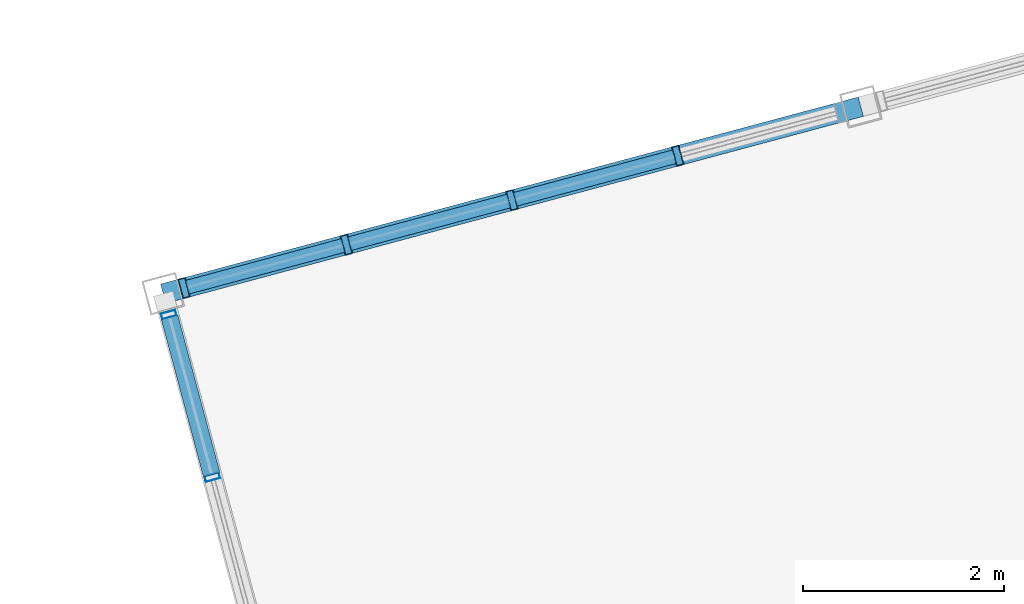
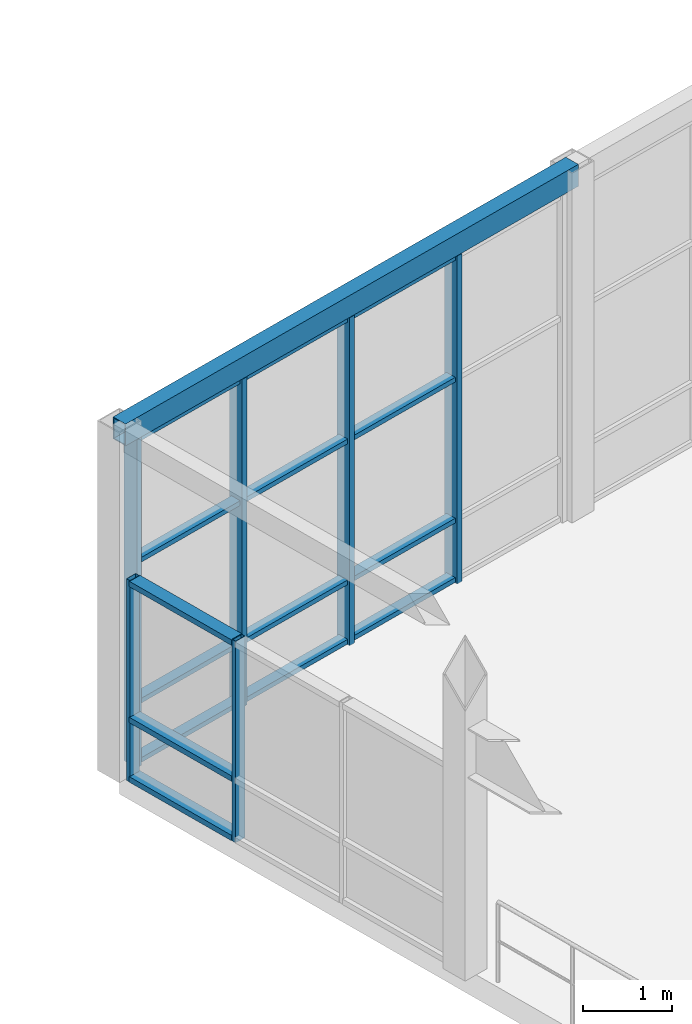
# One storey, part 35 of 99: 21 members, 1 beam, 2 elements without a shape of their own.
"""IFC4 building model written with IfcOpenShell, lengths in metres."""

import ifcopenshell
import ifcopenshell.guid

model = None  # the IFC model being written
_history = None  # IfcOwnerHistory: only IFC2X3 demands one
_inside = {}  # id of a spatial element -> (the spatial element, [elements in it])
_under = {}  # id of a project, library or spatial element -> (it, [spatial elements below it])
_declared = {}  # id of a project -> (the project, [libraries it declares])
_typed = {}  # id of a type object -> (the type object, [elements of that type])
_made_of = {}  # id of a material, layer set ... -> (it, [elements and type objects made of it])


def new_model(schema):
    """Start an empty IFC model of exactly this schema.

    Asked for "IFC4X3", IfcOpenShell would pick the latest addendum, in which some entities
    have other attributes; the version numbers below select the first issue.
    IFC2X3 requires an IfcOwnerHistory on every rooted entity: one is made here for all.
    """
    global model, _history
    if schema == "IFC4X3":
        model = ifcopenshell.file(schema_version=(4, 3, 0, 0))
    else:
        model = ifcopenshell.file(schema=schema)
    _inside.clear()
    _under.clear()
    _declared.clear()
    _typed.clear()
    _made_of.clear()
    _history = None
    if model.schema == "IFC2X3":
        org = make("IfcOrganization", Name="unknown")
        user = make(
            "IfcPersonAndOrganization",
            ThePerson=make("IfcPerson", FamilyName="unknown"),
            TheOrganization=org,
        )
        app = make(
            "IfcApplication",
            ApplicationDeveloper=org,
            Version="unknown",
            ApplicationFullName="unknown",
            ApplicationIdentifier="unknown",
        )
        _history = make(
            "IfcOwnerHistory",
            OwningUser=user,
            OwningApplication=app,
            ChangeAction="ADDED",
            CreationDate=0,
        )
    return model


def make(cls, **values):
    """One entity of the class cls with the attributes given. An attribute that is None is left unset."""
    return model.create_entity(
        cls, **{name: value for name, value in values.items() if value is not None}
    )


def rooted(cls, **values):
    """An entity with a GlobalId (a new one), such as an element, a storey or a relation."""
    return make(cls, GlobalId=ifcopenshell.guid.new(), OwnerHistory=_history, **values)


def si_unit(unit_type, name, prefix=None):
    """IfcSIUnit, for example si_unit("LENGTHUNIT", "METRE", prefix="MILLI")."""
    return make("IfcSIUnit", UnitType=unit_type, Prefix=prefix, Name=name)


def assignment(units):
    """IfcUnitAssignment: the units of a project."""
    return None if units is None else make("IfcUnitAssignment", Units=units)


def point(xyz):
    """IfcCartesianPoint."""
    return None if xyz is None else make("IfcCartesianPoint", Coordinates=xyz)


def direction(xyz):
    """IfcDirection."""
    return None if xyz is None else make("IfcDirection", DirectionRatios=xyz)


def frame(location, z_axis=None, x_axis=None):
    """IfcAxis2Placement3D, a coordinate frame: its origin and axes. An axis left out is left unset."""
    return make(
        "IfcAxis2Placement3D",
        Location=point(location),
        Axis=direction(z_axis),
        RefDirection=direction(x_axis),
    )


def frame_2d(location, x_axis=None):
    """IfcAxis2Placement2D, a coordinate frame in the plane: its origin and x axis."""
    return make(
        "IfcAxis2Placement2D", Location=point(location), RefDirection=direction(x_axis)
    )


def origin():
    """The frame at (0, 0, 0) with its axes left unset."""
    return frame((0.0, 0.0, 0.0))


def origin_2d():
    """The frame at (0, 0) in the plane with its x axis left unset."""
    return frame_2d((0.0, 0.0))


def place(relative_to, where):
    """IfcLocalPlacement: puts the frame where relative to a parent placement (None: the world)."""
    return make(
        "IfcLocalPlacement", PlacementRelTo=relative_to, RelativePlacement=where
    )


def context(
    kind, dimensions, precision=None, world=None, true_north=None, identifier=None
):
    """IfcGeometricRepresentationContext, for example the 3D "Model" context."""
    return make(
        "IfcGeometricRepresentationContext",
        ContextIdentifier=identifier,
        ContextType=kind,
        CoordinateSpaceDimension=dimensions,
        Precision=precision,
        WorldCoordinateSystem=world,
        TrueNorth=true_north,
    )


def subcontext(parent, identifier, kind, view, scale=None):
    """IfcGeometricRepresentationSubContext, for example "Body" below "Model"."""
    return make(
        "IfcGeometricRepresentationSubContext",
        ContextIdentifier=identifier,
        ContextType=kind,
        ParentContext=parent,
        TargetScale=scale,
        TargetView=view,
    )


def project(units=None, contexts=None):
    """IfcProject with its units and contexts."""
    return rooted(
        "IfcProject",
        Name="project",
        RepresentationContexts=contexts,
        UnitsInContext=assignment(units),
    )


def spatial(cls, under=None, at=None, **own):
    """A site, building, storey or space (cls), placed at a placement, below another one or the project."""
    s = rooted(cls, ObjectPlacement=at, **own)
    if under is not None:
        _under.setdefault(under.id(), (under, []))[1].append(s)
    return s


def profile(cls, at=None, kind="AREA", **sizes):
    """A parametric profile (cls). Its sizes go by their IFC names, for example OverallWidth=200.0."""
    return make(cls, ProfileType=kind, Position=at, **sizes)


def hollow_rectangle(**sizes):
    """IfcRectangleHollowProfileDef."""
    return profile("IfcRectangleHollowProfileDef", **sizes)


def extrude(swept, where, along, depth):
    """IfcExtrudedAreaSolid: the profile swept, set in the frame where, extruded along a direction by depth."""
    return make(
        "IfcExtrudedAreaSolid",
        SweptArea=swept,
        Position=where,
        ExtrudedDirection=direction(along),
        Depth=depth,
    )


def shape(context_of_items, identifier, shape_type, items):
    """IfcShapeRepresentation: the items that make up one representation, for example the "Body"."""
    return make(
        "IfcShapeRepresentation",
        ContextOfItems=context_of_items,
        RepresentationIdentifier=identifier,
        RepresentationType=shape_type,
        Items=items,
    )


def material(Name=None, Category=None):
    """IfcMaterial."""
    return make("IfcMaterial", Name=Name, Category=Category)


def layer(
    of_material, thickness, ventilated=None, Name=None, Category=None, Priority=None
):
    """IfcMaterialLayer: one layer of a wall or slab, of a material (None: an air gap)."""
    return make(
        "IfcMaterialLayer",
        Material=of_material,
        LayerThickness=thickness,
        IsVentilated=ventilated,
        Name=Name,
        Category=Category,
        Priority=Priority,
    )


def layer_set(layers, Name=None):
    """IfcMaterialLayerSet."""
    return make("IfcMaterialLayerSet", MaterialLayers=layers, LayerSetName=Name)


def material_profile(
    of_material, cross_section, Name=None, Category=None, Priority=None
):
    """IfcMaterialProfile: a cross section and its material."""
    return make(
        "IfcMaterialProfile",
        Name=Name,
        Material=of_material,
        Profile=cross_section,
        Priority=Priority,
        Category=Category,
    )


def profile_set(profiles, Name=None, composite=None):
    """IfcMaterialProfileSet."""
    return make(
        "IfcMaterialProfileSet",
        Name=Name,
        MaterialProfiles=profiles,
        CompositeProfile=composite,
    )


def made_of(thing, what):
    """Note that an element or type object is made of a material, layer set ...; save() writes the relation."""
    if what is not None:
        _made_of.setdefault(what.id(), (what, []))[1].append(thing)
    return thing


def type_object(cls, material=None, **own):
    """A type object (cls), such as IfcWallType, which elements share."""
    return made_of(rooted(cls, **own), material)


def element(
    cls,
    number,
    at=None,
    inside=None,
    cuts=None,
    type_object=None,
    material=None,
    context=None,
    identifier="Body",
    shape_type=None,
    held_by="IfcProductDefinitionShape",
    body=None,
    shapes=None,
    **own,
):
    """One element of the class cls, such as IfcWall. Its Tag is "e" and its number.

    at: its placement. inside: the storey or other place that contains it. cuts: it is an
    opening in that element (IfcRelVoidsElement). A single representation is given by context,
    identifier, shape_type and body (its items); several are given by shapes. held_by: the class
    of the entity that holds the representations. save() writes the other relations.
    """
    e = rooted(cls, Tag="e%d" % number, ObjectPlacement=at, **own)
    if body is not None:
        shapes = [shape(context, identifier, shape_type, body)]
    if shapes is not None:
        e.Representation = make(held_by, Representations=shapes)
    if inside is not None:
        _inside.setdefault(inside.id(), (inside, []))[1].append(e)
    if cuts is not None:
        rooted(
            "IfcRelVoidsElement", RelatingBuildingElement=cuts, RelatedOpeningElement=e
        )
    if type_object is not None:
        _typed.setdefault(type_object.id(), (type_object, []))[1].append(e)
    return made_of(e, material)


def aggregate(whole, parts):
    """IfcRelAggregates: a whole, such as a stair, and the parts it consists of."""
    return rooted("IfcRelAggregates", RelatingObject=whole, RelatedObjects=parts)


def save(model, path):
    """Write the relations noted so far, then the file.

    IfcRelAggregates (storeys below a building ...), IfcRelContainedInSpatialStructure (elements
    in a storey), IfcRelDefinesByType, IfcRelAssociatesMaterial and IfcRelDeclares: one each for
    every whole, place, type object, material and project.
    """
    for whole, parts in _under.values():
        aggregate(whole, parts)
    for where, things in _inside.values():
        rooted(
            "IfcRelContainedInSpatialStructure",
            RelatedElements=things,
            RelatingStructure=where,
        )
    for kind, things in _typed.values():
        rooted("IfcRelDefinesByType", RelatedObjects=things, RelatingType=kind)
    for what, things in _made_of.values():
        rooted("IfcRelAssociatesMaterial", RelatedObjects=things, RelatingMaterial=what)
    for by, libraries in _declared.values():
        rooted("IfcRelDeclares", RelatingContext=by, RelatedDefinitions=libraries)
    model.write(path)


model = new_model("IFC4")

# Units and contexts
model_context = context("Model", 3, precision=1e-05, world=origin(), true_north=direction((0.0, 1.0)))
body_context = subcontext(model_context, "Body", "Model", "MODEL_VIEW")
ifc_project = project(units=[si_unit("LENGTHUNIT", "METRE"), si_unit("AREAUNIT", "SQUARE_METRE"), si_unit("VOLUMEUNIT", "CUBIC_METRE"), si_unit("PLANEANGLEUNIT", "RADIAN"), si_unit("MASSUNIT", "GRAM", prefix="KILO")], contexts=[model_context])

# Site, building, storey
site_placement = place(None, origin())
site = spatial("IfcSite", under=ifc_project, at=site_placement, CompositionType="ELEMENT")
building_placement = place(site_placement, origin())
building = spatial("IfcBuilding", under=site, at=building_placement, Name="Ventoquebrada Cableway Terminal", CompositionType="ELEMENT")
storey_placement = place(building_placement, frame((0.0, 0.0, 9.60009765625)))
storey = spatial("IfcBuildingStorey", under=building, at=storey_placement, Name="L02", CompositionType="ELEMENT", Elevation=9.60009765625)

# Curtain wall, members
ifc_material_1 = material(Name="Anodized thermally-broken aluminium", Category="aluminium")
ifc_layer_1 = layer(ifc_material_1, 0.159912109375)
ifc_layer_set_1 = layer_set([ifc_layer_1], Name="Anodized thermally-broken aluminium")
curtain_wall_type_1 = type_object("IfcCurtainWallType", Name="CW-T40", PredefinedType="USERDEFINED", material=ifc_layer_set_1)
curtain_wall_1_placement = place(storey_placement, origin())
curtain_wall_1 = element("IfcCurtainWall", 1, at=curtain_wall_1_placement, inside=storey, type_object=curtain_wall_type_1, Name="Unitised glazed curtain wall CW-106", ObjectType="UNITISED CURTAIN WALL", PredefinedType="USERDEFINED")
ifc_material_profile_1 = material_profile(ifc_material_1, hollow_rectangle(XDim=0.074951171875, YDim=0.199951171875, WallThickness=0.00439453125, at=origin_2d()), Name="CW-MUL-75X200")
ifc_profile_set_1 = profile_set([ifc_material_profile_1], Name="Anodized thermally-broken aluminium")
member_type_1 = type_object("IfcMemberType", Name="CWM-02", PredefinedType="MULLION", material=ifc_profile_set_1)
member_1_placement = place(storey_placement, frame((50.3779296875, 96.27294921875, -0.008056640625), z_axis=(0.0, 0.0, 1.0), x_axis=(-0.965930343386, -0.258802186477, 0.0)))
member_1 = element("IfcMember", 2, at=member_1_placement, type_object=member_type_1, Name="Curtain wall mullion FML-0516", PredefinedType="MULLION", context=body_context, shape_type="SweptSolid", body=[
    extrude(hollow_rectangle(XDim=0.074951171875, YDim=0.199951171875, WallThickness=0.00439453125, at=origin_2d()), origin(), (0.0, 0.0, 1.0), 4.5029296875),
])
member_2_placement = place(storey_placement, frame((48.72607421875, 95.830078125, -0.008056640625), z_axis=(0.0, 0.0, 1.0), x_axis=(-0.965930343386, -0.258802186477, 0.0)))
member_2 = element("IfcMember", 3, at=member_2_placement, type_object=member_type_1, Name="Curtain wall mullion FML-0517", PredefinedType="MULLION", context=body_context, shape_type="SweptSolid", body=[
    extrude(hollow_rectangle(XDim=0.074951171875, YDim=0.199951171875, WallThickness=0.00439453125, at=origin_2d()), origin(), (0.0, 0.0, 1.0), 4.5029296875),
])
member_3_placement = place(storey_placement, frame((47.074951171875, 95.386962890625, -0.008056640625), z_axis=(0.0, 0.0, 1.0), x_axis=(-0.965930343386, -0.258802186477, 0.0)))
member_3 = element("IfcMember", 4, at=member_3_placement, type_object=member_type_1, Name="Curtain wall mullion FML-0518", PredefinedType="MULLION", context=body_context, shape_type="SweptSolid", body=[
    extrude(hollow_rectangle(XDim=0.074951171875, YDim=0.199951171875, WallThickness=0.00439453125, at=origin_2d()), origin(), (0.0, 0.0, 1.0), 4.5029296875),
])
member_4_placement = place(storey_placement, frame((45.45703125, 94.9541015625, -0.008056640625), z_axis=(0.0, 0.0, 1.0), x_axis=(-0.965930343386, -0.258802186477, 0.0)))
member_4 = element("IfcMember", 5, at=member_4_placement, type_object=member_type_1, Name="Curtain wall mullion FML-0519", PredefinedType="MULLION", context=body_context, shape_type="SweptSolid", body=[
    extrude(hollow_rectangle(XDim=0.074951171875, YDim=0.199951171875, WallThickness=0.00439453125, at=origin_2d()), origin(), (0.0, 0.0, 1.0), 4.5029296875),
])

ifc_layer_2 = layer(ifc_material_1, 0.159912109375)
ifc_layer_set_2 = layer_set([ifc_layer_2], Name="Anodized thermally-broken aluminium")
curtain_wall_type_2 = type_object("IfcCurtainWallType", Name="CW-T41", PredefinedType="USERDEFINED", material=ifc_layer_set_2)
curtain_wall_2_placement = place(storey_placement, origin())
curtain_wall_2 = element("IfcCurtainWall", 6, at=curtain_wall_2_placement, inside=storey, type_object=curtain_wall_type_2, Name="Unitised glazed curtain wall CW-112", ObjectType="UNITISED CURTAIN WALL", PredefinedType="USERDEFINED")
ifc_material_profile_2 = material_profile(ifc_material_1, hollow_rectangle(XDim=0.06005859375, YDim=0.14990234375, WallThickness=0.00390625, at=origin_2d()), Name="CW-MUL-60X150")
ifc_profile_set_2 = profile_set([ifc_material_profile_2], Name="Anodized thermally-broken aluminium")
member_type_2 = type_object("IfcMemberType", Name="CWM-03", PredefinedType="MULLION", material=ifc_profile_set_2)
member_5_placement = place(storey_placement, frame((45.304931640625, 94.68994140625, -0.008056640625), z_axis=(0.0, 0.0, 1.0), x_axis=(0.258616736395, -0.965980012038, 0.0)))
member_5 = element("IfcMember", 7, at=member_5_placement, type_object=member_type_2, Name="Curtain wall mullion FML-0544", PredefinedType="MULLION", context=body_context, shape_type="SweptSolid", body=[
    extrude(hollow_rectangle(XDim=0.06005859375, YDim=0.14990234375, WallThickness=0.00390625, at=origin_2d()), origin(), (0.0, 0.0, 1.0), 2.764892578125),
])
member_6_placement = place(storey_placement, frame((45.739013671875, 93.069091796875, -0.008056640625), z_axis=(0.0, 0.0, 1.0), x_axis=(0.258616736395, -0.965980012038, 0.0)))
member_6 = element("IfcMember", 8, at=member_6_placement, type_object=member_type_2, Name="Curtain wall mullion FML-0545", PredefinedType="MULLION", context=body_context, shape_type="SweptSolid", body=[
    extrude(hollow_rectangle(XDim=0.06005859375, YDim=0.14990234375, WallThickness=0.00390625, at=origin_2d()), origin(), (0.0, 0.0, 1.0), 2.764892578125),
])

# Member
ifc_material_profile_3 = material_profile(ifc_material_1, hollow_rectangle(XDim=0.06494140625, YDim=0.139892578125, WallThickness=0.00390625, at=origin_2d()), Name="CW-TRN-65X140")
ifc_profile_set_3 = profile_set([ifc_material_profile_3], Name="Anodized thermally-broken aluminium")
member_type_3 = type_object("IfcMemberType", Name="CWT-01", PredefinedType="USERDEFINED", material=ifc_profile_set_3)
member_7_placement = place(storey_placement, frame((50.345947265625, 96.263916015625, 0.034912109375), z_axis=(-0.965881783076, -0.258983360705, 0.0), x_axis=(0.0, 0.0, 1.0)))
member_7 = element("IfcMember", 9, at=member_7_placement, type_object=member_type_3, Name="Curtain wall transom FTR-1520", ObjectType="TRANSOM", PredefinedType="USERDEFINED", context=body_context, shape_type="SweptSolid", body=[
    extrude(hollow_rectangle(XDim=0.06494140625, YDim=0.139892578125, WallThickness=0.00390625, at=origin_2d()), origin(), (0.0, 0.0, 1.0), 1.64501953125),
])

member_8_placement = place(storey_placement, frame((50.345947265625, 96.263916015625, 0.849853515625), z_axis=(-0.965881783076, -0.258983360705, 0.0), x_axis=(0.0, 0.0, 1.0)))
member_8 = element("IfcMember", 10, at=member_8_placement, type_object=member_type_3, Name="Curtain wall transom FTR-1521", ObjectType="TRANSOM", PredefinedType="USERDEFINED", context=body_context, shape_type="SweptSolid", body=[
    extrude(hollow_rectangle(XDim=0.06494140625, YDim=0.139892578125, WallThickness=0.00390625, at=origin_2d()), origin(), (0.0, 0.0, 1.0), 1.64501953125),
])

member_9_placement = place(storey_placement, frame((50.345947265625, 96.263916015625, 2.783935546875), z_axis=(-0.965881783076, -0.258983360705, 0.0), x_axis=(0.0, 0.0, 1.0)))
member_9 = element("IfcMember", 11, at=member_9_placement, type_object=member_type_3, Name="Curtain wall transom FTR-1522", ObjectType="TRANSOM", PredefinedType="USERDEFINED", context=body_context, shape_type="SweptSolid", body=[
    extrude(hollow_rectangle(XDim=0.06494140625, YDim=0.139892578125, WallThickness=0.00390625, at=origin_2d()), origin(), (0.0, 0.0, 1.0), 1.64501953125),
])

member_10_placement = place(storey_placement, frame((50.345947265625, 96.263916015625, 4.454833984375), z_axis=(-0.965881783076, -0.258983360705, 0.0), x_axis=(0.0, 0.0, 1.0)))
member_10 = element("IfcMember", 12, at=member_10_placement, type_object=member_type_3, Name="Curtain wall transom FTR-1523", ObjectType="TRANSOM", PredefinedType="USERDEFINED", context=body_context, shape_type="SweptSolid", body=[
    extrude(hollow_rectangle(XDim=0.06494140625, YDim=0.139892578125, WallThickness=0.00390625, at=origin_2d()), origin(), (0.0, 0.0, 1.0), 1.64501953125),
])

member_11_placement = place(storey_placement, frame((48.695068359375, 95.822021484375, 0.034912109375), z_axis=(-0.965891735452, -0.258946240339, 0.0), x_axis=(0.0, 0.0, 1.0)))
member_11 = element("IfcMember", 13, at=member_11_placement, type_object=member_type_3, Name="Curtain wall transom FTR-1524", ObjectType="TRANSOM", PredefinedType="USERDEFINED", context=body_context, shape_type="SweptSolid", body=[
    extrude(hollow_rectangle(XDim=0.06494140625, YDim=0.139892578125, WallThickness=0.00390625, at=origin_2d()), origin(), (0.0, 0.0, 1.0), 1.645263671875),
])

member_12_placement = place(storey_placement, frame((48.695068359375, 95.822021484375, 0.849853515625), z_axis=(-0.965891735452, -0.258946240339, 0.0), x_axis=(0.0, 0.0, 1.0)))
member_12 = element("IfcMember", 14, at=member_12_placement, type_object=member_type_3, Name="Curtain wall transom FTR-1525", ObjectType="TRANSOM", PredefinedType="USERDEFINED", context=body_context, shape_type="SweptSolid", body=[
    extrude(hollow_rectangle(XDim=0.06494140625, YDim=0.139892578125, WallThickness=0.00390625, at=origin_2d()), origin(), (0.0, 0.0, 1.0), 1.645263671875),
])

member_13_placement = place(storey_placement, frame((48.695068359375, 95.822021484375, 2.783935546875), z_axis=(-0.965891735452, -0.258946240339, 0.0), x_axis=(0.0, 0.0, 1.0)))
member_13 = element("IfcMember", 15, at=member_13_placement, type_object=member_type_3, Name="Curtain wall transom FTR-1526", ObjectType="TRANSOM", PredefinedType="USERDEFINED", context=body_context, shape_type="SweptSolid", body=[
    extrude(hollow_rectangle(XDim=0.06494140625, YDim=0.139892578125, WallThickness=0.00390625, at=origin_2d()), origin(), (0.0, 0.0, 1.0), 1.645263671875),
])

member_14_placement = place(storey_placement, frame((48.695068359375, 95.822021484375, 4.454833984375), z_axis=(-0.965891735452, -0.258946240339, 0.0), x_axis=(0.0, 0.0, 1.0)))
member_14 = element("IfcMember", 16, at=member_14_placement, type_object=member_type_3, Name="Curtain wall transom FTR-1527", ObjectType="TRANSOM", PredefinedType="USERDEFINED", context=body_context, shape_type="SweptSolid", body=[
    extrude(hollow_rectangle(XDim=0.06494140625, YDim=0.139892578125, WallThickness=0.00390625, at=origin_2d()), origin(), (0.0, 0.0, 1.0), 1.645263671875),
])

member_15_placement = place(storey_placement, frame((47.04296875, 95.37890625, 0.034912109375), z_axis=(-0.965871529052, -0.259021600192, 0.0), x_axis=(0.0, 0.0, 1.0)))
member_15 = element("IfcMember", 17, at=member_15_placement, type_object=member_type_3, Name="Curtain wall transom FTR-1528", ObjectType="TRANSOM", PredefinedType="USERDEFINED", context=body_context, shape_type="SweptSolid", body=[
    extrude(hollow_rectangle(XDim=0.06494140625, YDim=0.139892578125, WallThickness=0.00390625, at=origin_2d()), origin(), (0.0, 0.0, 1.0), 1.60986328125),
])

member_16_placement = place(storey_placement, frame((47.04296875, 95.37890625, 0.849853515625), z_axis=(-0.965871529052, -0.259021600192, 0.0), x_axis=(0.0, 0.0, 1.0)))
member_16 = element("IfcMember", 18, at=member_16_placement, type_object=member_type_3, Name="Curtain wall transom FTR-1529", ObjectType="TRANSOM", PredefinedType="USERDEFINED", context=body_context, shape_type="SweptSolid", body=[
    extrude(hollow_rectangle(XDim=0.06494140625, YDim=0.139892578125, WallThickness=0.00390625, at=origin_2d()), origin(), (0.0, 0.0, 1.0), 1.60986328125),
])

member_17_placement = place(storey_placement, frame((47.04296875, 95.37890625, 2.783935546875), z_axis=(-0.965871529052, -0.259021600192, 0.0), x_axis=(0.0, 0.0, 1.0)))
member_17 = element("IfcMember", 19, at=member_17_placement, type_object=member_type_3, Name="Curtain wall transom FTR-1530", ObjectType="TRANSOM", PredefinedType="USERDEFINED", context=body_context, shape_type="SweptSolid", body=[
    extrude(hollow_rectangle(XDim=0.06494140625, YDim=0.139892578125, WallThickness=0.00390625, at=origin_2d()), origin(), (0.0, 0.0, 1.0), 1.60986328125),
])

member_18_placement = place(storey_placement, frame((47.04296875, 95.37890625, 4.454833984375), z_axis=(-0.965871529052, -0.259021600192, 0.0), x_axis=(0.0, 0.0, 1.0)))
member_18 = element("IfcMember", 20, at=member_18_placement, type_object=member_type_3, Name="Curtain wall transom FTR-1531", ObjectType="TRANSOM", PredefinedType="USERDEFINED", context=body_context, shape_type="SweptSolid", body=[
    extrude(hollow_rectangle(XDim=0.06494140625, YDim=0.139892578125, WallThickness=0.00390625, at=origin_2d()), origin(), (0.0, 0.0, 1.0), 1.60986328125),
])

aggregate(curtain_wall_1, [member_1, member_2, member_3, member_4, member_7, member_8, member_9, member_10, member_11, member_12, member_13, member_14, member_15, member_16, member_17, member_18])

ifc_material_profile_4 = material_profile(ifc_material_1, hollow_rectangle(XDim=0.074951171875, YDim=0.169921875, WallThickness=0.00439453125, at=origin_2d()), Name="CW-TRN-75X170")
ifc_profile_set_4 = profile_set([ifc_material_profile_4], Name="Anodized thermally-broken aluminium")
member_type_4 = type_object("IfcMemberType", Name="CWT-03", PredefinedType="USERDEFINED", material=ifc_profile_set_4)
member_19_placement = place(storey_placement, frame((45.31201171875, 94.666015625, 0.034912109375), z_axis=(0.258483764983, -0.966015601965, 0.0), x_axis=(0.0, 0.0, 1.0)))
member_19 = element("IfcMember", 21, at=member_19_placement, type_object=member_type_4, Name="Curtain wall transom FTR-1605", ObjectType="TRANSOM", PredefinedType="USERDEFINED", context=body_context, shape_type="SweptSolid", body=[
    extrude(hollow_rectangle(XDim=0.074951171875, YDim=0.169921875, WallThickness=0.00439453125, at=origin_2d()), origin(), (0.0, 0.0, 1.0), 1.62841796875),
])

member_20_placement = place(storey_placement, frame((45.31201171875, 94.666015625, 0.849853515625), z_axis=(0.258483764983, -0.966015601965, 0.0), x_axis=(0.0, 0.0, 1.0)))
member_20 = element("IfcMember", 22, at=member_20_placement, type_object=member_type_4, Name="Curtain wall transom FTR-1606", ObjectType="TRANSOM", PredefinedType="USERDEFINED", context=body_context, shape_type="SweptSolid", body=[
    extrude(hollow_rectangle(XDim=0.074951171875, YDim=0.169921875, WallThickness=0.00439453125, at=origin_2d()), origin(), (0.0, 0.0, 1.0), 1.62841796875),
])

member_21_placement = place(storey_placement, frame((45.31201171875, 94.666015625, 2.716796875), z_axis=(0.258483764983, -0.966015601965, 0.0), x_axis=(0.0, 0.0, 1.0)))
member_21 = element("IfcMember", 23, at=member_21_placement, type_object=member_type_4, Name="Curtain wall transom FTR-1607", ObjectType="TRANSOM", PredefinedType="USERDEFINED", context=body_context, shape_type="SweptSolid", body=[
    extrude(hollow_rectangle(XDim=0.074951171875, YDim=0.169921875, WallThickness=0.00439453125, at=origin_2d()), origin(), (0.0, 0.0, 1.0), 1.62841796875),
])

aggregate(curtain_wall_2, [member_5, member_6, member_19, member_20, member_21])

# Beam
ifc_material_2 = material(Name="Steel ASTM A500 Grade C", Category="steel")
ifc_material_profile_5 = material_profile(ifc_material_2, hollow_rectangle(XDim=0.199951171875, YDim=0.300048828125, WallThickness=0.012451171875, at=origin_2d()), Name="RHS300X200X12.5")
ifc_profile_set_5 = profile_set([ifc_material_profile_5], Name="Steel ASTM A500 Grade C")
beam_type = type_object("IfcBeamType", Name="SP-ST02", PredefinedType="SPANDREL", material=ifc_profile_set_5)
beam_placement = place(storey_placement, frame((45.2490234375, 94.89794921875, 4.64990234375), z_axis=(0.965900361292, 0.258914063071, 0.0), x_axis=(-0.258914063071, 0.965900361292, 0.0)))
element("IfcBeam", 24, at=beam_placement, inside=storey, type_object=beam_type, Name="Boarding hall perimeter tie beam FBM-1094", PredefinedType="SPANDREL", context=body_context, shape_type="SweptSolid", body=[
    extrude(hollow_rectangle(XDim=0.199951171875, YDim=0.300048828125, WallThickness=0.012451171875, at=origin_2d()), origin(), (0.0, 0.0, 1.0), 7.199462890625),
])

save(model, "model.ifc")
